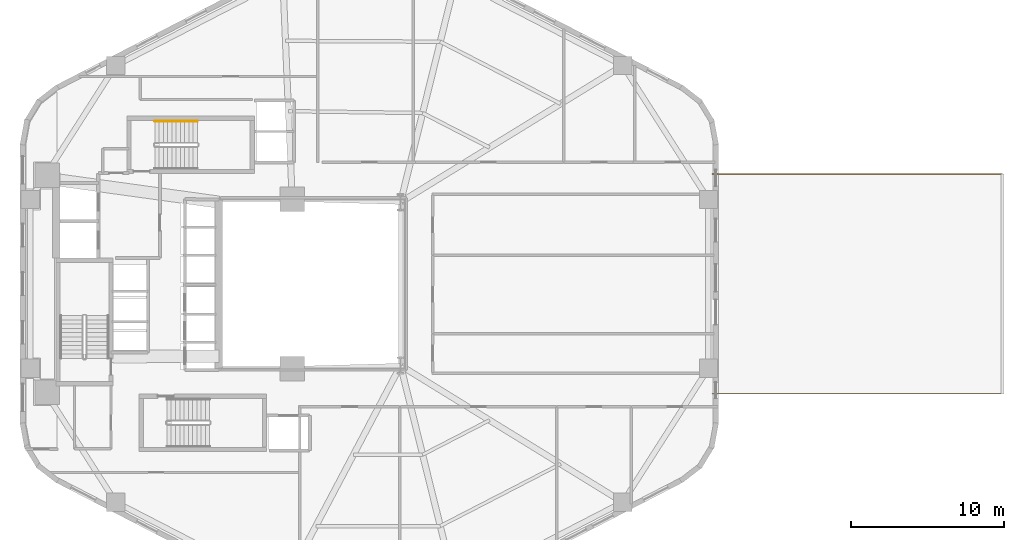
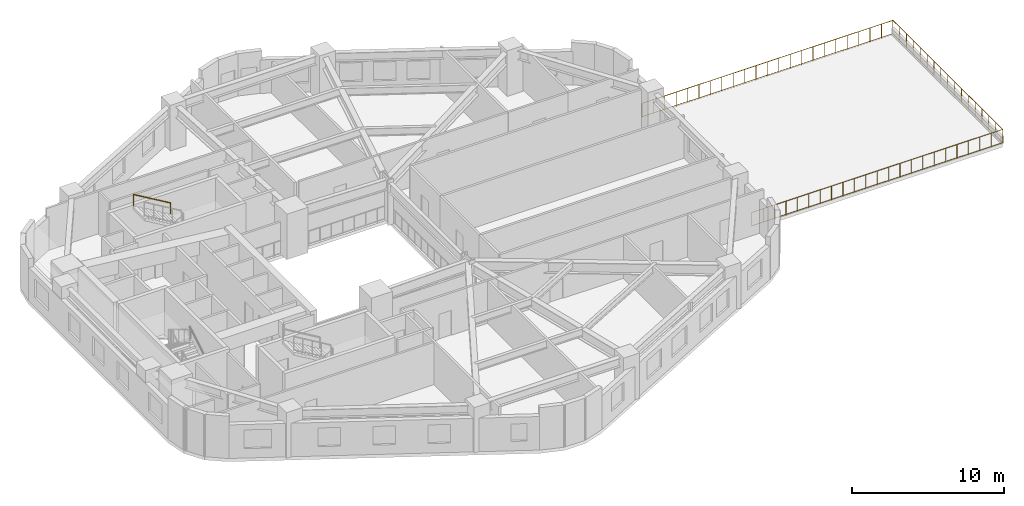
# One storey, part 8 of 8: 2 railings.
"""IFC4 building model written with IfcOpenShell, lengths in metres."""

from ifc_helpers import new_model, si_unit, direction, frame, origin, origin_2d, place, context, subcontext, project, spatial, circle, extrude, material, type_object, element, save


model = new_model("IFC4")

# Units and contexts
model_context = context("Model", 3, precision=1e-05, world=origin(), true_north=direction((0.0, 1.0)))
body_context = subcontext(model_context, "Body", "Model", "MODEL_VIEW")
ifc_project = project(units=[si_unit("LENGTHUNIT", "METRE"), si_unit("AREAUNIT", "SQUARE_METRE"), si_unit("VOLUMEUNIT", "CUBIC_METRE"), si_unit("PLANEANGLEUNIT", "RADIAN"), si_unit("MASSUNIT", "GRAM", prefix="KILO"), si_unit("THERMODYNAMICTEMPERATUREUNIT", "KELVIN"), si_unit("POWERUNIT", "WATT")], contexts=[model_context])

# Site, building, storey
site_placement = place(None, origin())
site = spatial("IfcSite", under=ifc_project, at=site_placement, CompositionType="ELEMENT")
building_placement = place(site_placement, origin())
building = spatial("IfcBuilding", under=site, at=building_placement, Name="Skarre Station Tower", CompositionType="ELEMENT")
storey_placement = place(building_placement, frame((0.0, 0.0, 63.5)))
storey = spatial("IfcBuildingStorey", under=building, at=storey_placement, Name="L16", CompositionType="ELEMENT", Elevation=63.5)

# Railings
ifc_material_1 = material(Name="Stainless Steel Grade 316L & Laminated Safety Glass", Category="steel")
railing_type_1 = type_object("IfcRailingType", Name="Laminated Glass & Stainless Terrace Guardrail 1150", PredefinedType="BALUSTRADE", material=ifc_material_1)
railing_1_placement = place(storey_placement, frame((59.863037109375, 16.800048828125, 0.0)))
element("IfcRailing", 1, at=railing_1_placement, inside=storey, type_object=railing_type_1, Name="L16 SB-1 Sky-Bar Roof Terrace Guardrail", PredefinedType="BALUSTRADE", context=body_context, shape_type="SweptSolid", body=[
    extrude(circle(Radius=0.02392578125, at=origin_2d()), frame((0.0, 0.0, 1.1259765625), z_axis=(1.0, 0.0, 0.0), x_axis=(0.0, 1.0, 0.0)), (0.0, 0.0, 1.0), 19.0),
    extrude(circle(Radius=0.02099609375, at=origin_2d()), frame((0.0, 0.0, 0.06005859375), z_axis=(1.0, 0.0, 0.0), x_axis=(0.0, 1.0, 0.0)), (0.0, 0.0, 1.0), 19.0),
    extrude(circle(Radius=0.02392578125, at=origin_2d()), frame((19.0, 0.0, 1.1259765625), z_axis=(0.0, 1.0, 0.0), x_axis=(-1.0, 0.0, 0.0)), (0.0, 0.0, 1.0), 14.39990234375),
    extrude(circle(Radius=0.02099609375, at=origin_2d()), frame((19.0, 0.0, 0.06005859375), z_axis=(0.0, 1.0, 0.0), x_axis=(-1.0, 0.0, 0.0)), (0.0, 0.0, 1.0), 14.39990234375),
    extrude(circle(Radius=0.02392578125, at=origin_2d()), frame((19.0, 14.39990234375, 1.1259765625), z_axis=(-1.0, 0.0, 0.0), x_axis=(0.0, -1.0, 0.0)), (0.0, 0.0, 1.0), 19.0),
    extrude(circle(Radius=0.02099609375, at=origin_2d()), frame((19.0, 14.39990234375, 0.06005859375), z_axis=(-1.0, 0.0, 0.0), x_axis=(0.0, -1.0, 0.0)), (0.0, 0.0, 1.0), 19.0),
    extrude(circle(Radius=0.02099609375, at=origin_2d()), origin(), (0.0, 0.0, 1.0), 1.101806640625),
    extrude(circle(Radius=0.02099609375, at=origin_2d()), frame((0.863525390625, 0.0, 0.0)), (0.0, 0.0, 1.0), 1.101806640625),
    extrude(circle(Radius=0.02099609375, at=origin_2d()), frame((1.727294921875, 0.0, 0.0)), (0.0, 0.0, 1.0), 1.101806640625),
    extrude(circle(Radius=0.02099609375, at=origin_2d()), frame((2.5908203125, 0.0, 0.0)), (0.0, 0.0, 1.0), 1.101806640625),
    extrude(circle(Radius=0.02099609375, at=origin_2d()), frame((3.45458984375, 0.0, 0.0)), (0.0, 0.0, 1.0), 1.101806640625),
    extrude(circle(Radius=0.02099609375, at=origin_2d()), frame((4.318115234375, 0.0, 0.0)), (0.0, 0.0, 1.0), 1.101806640625),
    extrude(circle(Radius=0.02099609375, at=origin_2d()), frame((5.181884765625, 0.0, 0.0)), (0.0, 0.0, 1.0), 1.101806640625),
    extrude(circle(Radius=0.02099609375, at=origin_2d()), frame((6.04541015625, 0.0, 0.0)), (0.0, 0.0, 1.0), 1.101806640625),
    extrude(circle(Radius=0.02099609375, at=origin_2d()), frame((6.9091796875, 0.0, 0.0)), (0.0, 0.0, 1.0), 1.101806640625),
    extrude(circle(Radius=0.02099609375, at=origin_2d()), frame((7.772705078125, 0.0, 0.0)), (0.0, 0.0, 1.0), 1.101806640625),
    extrude(circle(Radius=0.02099609375, at=origin_2d()), frame((8.636474609375, 0.0, 0.0)), (0.0, 0.0, 1.0), 1.101806640625),
    extrude(circle(Radius=0.02099609375, at=origin_2d()), frame((9.5, 0.0, 0.0)), (0.0, 0.0, 1.0), 1.101806640625),
    extrude(circle(Radius=0.02099609375, at=origin_2d()), frame((10.363525390625, 0.0, 0.0)), (0.0, 0.0, 1.0), 1.101806640625),
    extrude(circle(Radius=0.02099609375, at=origin_2d()), frame((11.227294921875, 0.0, 0.0)), (0.0, 0.0, 1.0), 1.101806640625),
    extrude(circle(Radius=0.02099609375, at=origin_2d()), frame((12.0908203125, 0.0, 0.0)), (0.0, 0.0, 1.0), 1.101806640625),
    extrude(circle(Radius=0.02099609375, at=origin_2d()), frame((12.95458984375, 0.0, 0.0)), (0.0, 0.0, 1.0), 1.101806640625),
    extrude(circle(Radius=0.02099609375, at=origin_2d()), frame((13.818115234375, 0.0, 0.0)), (0.0, 0.0, 1.0), 1.101806640625),
    extrude(circle(Radius=0.02099609375, at=origin_2d()), frame((14.681884765625, 0.0, 0.0)), (0.0, 0.0, 1.0), 1.101806640625),
    extrude(circle(Radius=0.02099609375, at=origin_2d()), frame((15.54541015625, 0.0, 0.0)), (0.0, 0.0, 1.0), 1.101806640625),
    extrude(circle(Radius=0.02099609375, at=origin_2d()), frame((16.4091796875, 0.0, 0.0)), (0.0, 0.0, 1.0), 1.101806640625),
    extrude(circle(Radius=0.02099609375, at=origin_2d()), frame((17.272705078125, 0.0, 0.0)), (0.0, 0.0, 1.0), 1.101806640625),
    extrude(circle(Radius=0.02099609375, at=origin_2d()), frame((18.136474609375, 0.0, 0.0)), (0.0, 0.0, 1.0), 1.101806640625),
    extrude(circle(Radius=0.02099609375, at=origin_2d()), frame((19.0, 0.0, 0.0)), (0.0, 0.0, 1.0), 1.101806640625),
    extrude(circle(Radius=0.02099609375, at=origin_2d()), frame((19.0, 0.89990234375, 0.0)), (0.0, 0.0, 1.0), 1.101806640625),
    extrude(circle(Radius=0.02099609375, at=origin_2d()), frame((19.0, 1.800048828125, 0.0)), (0.0, 0.0, 1.0), 1.101806640625),
    extrude(circle(Radius=0.02099609375, at=origin_2d()), frame((19.0, 2.699951171875, 0.0)), (0.0, 0.0, 1.0), 1.101806640625),
    extrude(circle(Radius=0.02099609375, at=origin_2d()), frame((19.0, 3.60009765625, 0.0)), (0.0, 0.0, 1.0), 1.101806640625),
    extrude(circle(Radius=0.02099609375, at=origin_2d()), frame((19.0, 4.5, 0.0)), (0.0, 0.0, 1.0), 1.101806640625),
    extrude(circle(Radius=0.02099609375, at=origin_2d()), frame((19.0, 5.39990234375, 0.0)), (0.0, 0.0, 1.0), 1.101806640625),
    extrude(circle(Radius=0.02099609375, at=origin_2d()), frame((19.0, 6.300048828125, 0.0)), (0.0, 0.0, 1.0), 1.101806640625),
    extrude(circle(Radius=0.02099609375, at=origin_2d()), frame((19.0, 7.199951171875, 0.0)), (0.0, 0.0, 1.0), 1.101806640625),
    extrude(circle(Radius=0.02099609375, at=origin_2d()), frame((19.0, 8.099853515625, 0.0)), (0.0, 0.0, 1.0), 1.101806640625),
    extrude(circle(Radius=0.02099609375, at=origin_2d()), frame((19.0, 9.0, 0.0)), (0.0, 0.0, 1.0), 1.101806640625),
    extrude(circle(Radius=0.02099609375, at=origin_2d()), frame((19.0, 9.89990234375, 0.0)), (0.0, 0.0, 1.0), 1.101806640625),
    extrude(circle(Radius=0.02099609375, at=origin_2d()), frame((19.0, 10.7998046875, 0.0)), (0.0, 0.0, 1.0), 1.101806640625),
    extrude(circle(Radius=0.02099609375, at=origin_2d()), frame((19.0, 11.699951171875, 0.0)), (0.0, 0.0, 1.0), 1.101806640625),
    extrude(circle(Radius=0.02099609375, at=origin_2d()), frame((19.0, 12.599853515625, 0.0)), (0.0, 0.0, 1.0), 1.101806640625),
    extrude(circle(Radius=0.02099609375, at=origin_2d()), frame((19.0, 13.5, 0.0)), (0.0, 0.0, 1.0), 1.101806640625),
    extrude(circle(Radius=0.02099609375, at=origin_2d()), frame((19.0, 14.39990234375, 0.0)), (0.0, 0.0, 1.0), 1.101806640625),
    extrude(circle(Radius=0.02099609375, at=origin_2d()), frame((18.136474609375, 14.39990234375, 0.0)), (0.0, 0.0, 1.0), 1.101806640625),
    extrude(circle(Radius=0.02099609375, at=origin_2d()), frame((17.272705078125, 14.39990234375, 0.0)), (0.0, 0.0, 1.0), 1.101806640625),
    extrude(circle(Radius=0.02099609375, at=origin_2d()), frame((16.4091796875, 14.39990234375, 0.0)), (0.0, 0.0, 1.0), 1.101806640625),
    extrude(circle(Radius=0.02099609375, at=origin_2d()), frame((15.54541015625, 14.39990234375, 0.0)), (0.0, 0.0, 1.0), 1.101806640625),
    extrude(circle(Radius=0.02099609375, at=origin_2d()), frame((14.681884765625, 14.39990234375, 0.0)), (0.0, 0.0, 1.0), 1.101806640625),
    extrude(circle(Radius=0.02099609375, at=origin_2d()), frame((13.818115234375, 14.39990234375, 0.0)), (0.0, 0.0, 1.0), 1.101806640625),
    extrude(circle(Radius=0.02099609375, at=origin_2d()), frame((12.95458984375, 14.39990234375, 0.0)), (0.0, 0.0, 1.0), 1.101806640625),
    extrude(circle(Radius=0.02099609375, at=origin_2d()), frame((12.0908203125, 14.39990234375, 0.0)), (0.0, 0.0, 1.0), 1.101806640625),
    extrude(circle(Radius=0.02099609375, at=origin_2d()), frame((11.227294921875, 14.39990234375, 0.0)), (0.0, 0.0, 1.0), 1.101806640625),
    extrude(circle(Radius=0.02099609375, at=origin_2d()), frame((10.363525390625, 14.39990234375, 0.0)), (0.0, 0.0, 1.0), 1.101806640625),
    extrude(circle(Radius=0.02099609375, at=origin_2d()), frame((9.5, 14.39990234375, 0.0)), (0.0, 0.0, 1.0), 1.101806640625),
    extrude(circle(Radius=0.02099609375, at=origin_2d()), frame((8.636474609375, 14.39990234375, 0.0)), (0.0, 0.0, 1.0), 1.101806640625),
    extrude(circle(Radius=0.02099609375, at=origin_2d()), frame((7.772705078125, 14.39990234375, 0.0)), (0.0, 0.0, 1.0), 1.101806640625),
    extrude(circle(Radius=0.02099609375, at=origin_2d()), frame((6.9091796875, 14.39990234375, 0.0)), (0.0, 0.0, 1.0), 1.101806640625),
    extrude(circle(Radius=0.02099609375, at=origin_2d()), frame((6.04541015625, 14.39990234375, 0.0)), (0.0, 0.0, 1.0), 1.101806640625),
    extrude(circle(Radius=0.02099609375, at=origin_2d()), frame((5.181884765625, 14.39990234375, 0.0)), (0.0, 0.0, 1.0), 1.101806640625),
    extrude(circle(Radius=0.02099609375, at=origin_2d()), frame((4.318115234375, 14.39990234375, 0.0)), (0.0, 0.0, 1.0), 1.101806640625),
    extrude(circle(Radius=0.02099609375, at=origin_2d()), frame((3.45458984375, 14.39990234375, 0.0)), (0.0, 0.0, 1.0), 1.101806640625),
    extrude(circle(Radius=0.02099609375, at=origin_2d()), frame((2.5908203125, 14.39990234375, 0.0)), (0.0, 0.0, 1.0), 1.101806640625),
    extrude(circle(Radius=0.02099609375, at=origin_2d()), frame((1.727294921875, 14.39990234375, 0.0)), (0.0, 0.0, 1.0), 1.101806640625),
    extrude(circle(Radius=0.02099609375, at=origin_2d()), frame((0.863525390625, 14.39990234375, 0.0)), (0.0, 0.0, 1.0), 1.101806640625),
    extrude(circle(Radius=0.02099609375, at=origin_2d()), frame((0.0, 14.39990234375, 0.0)), (0.0, 0.0, 1.0), 1.101806640625),
])
ifc_material_2 = material(Name="Powder-Coated Tubular Steel", Category="steel")
railing_type_2 = type_object("IfcRailingType", Name="Painted Steel Ramp & Stair Handrail 920", PredefinedType="HANDRAIL", material=ifc_material_2)
railing_2_placement = place(storey_placement, frame((26.14990234375, 34.64990234375, 1.990966796875)))
element("IfcRailing", 2, at=railing_2_placement, inside=storey, type_object=railing_type_2, Name="L16 ST-3 stair handrail 2", PredefinedType="HANDRAIL", context=body_context, shape_type="SweptSolid", body=[
    extrude(circle(Radius=0.02392578125, at=origin_2d()), frame((0.0, 0.0, 0.8759765625), z_axis=(-0.860319559791, 0.0, 0.509755093197), x_axis=(0.0, -1.0, 0.0)), (0.0, 0.0, 1.0), 3.25439453125),
    extrude(circle(Radius=0.02099609375, at=origin_2d()), origin(), (0.0, 0.0, 1.0), 0.851806640625),
    extrude(circle(Radius=0.02099609375, at=origin_2d()), frame((-2.7998046875, 0.0, 1.658935546875)), (0.0, 0.0, 1.0), 0.851806640625),
])

save(model, "model.ifc")
